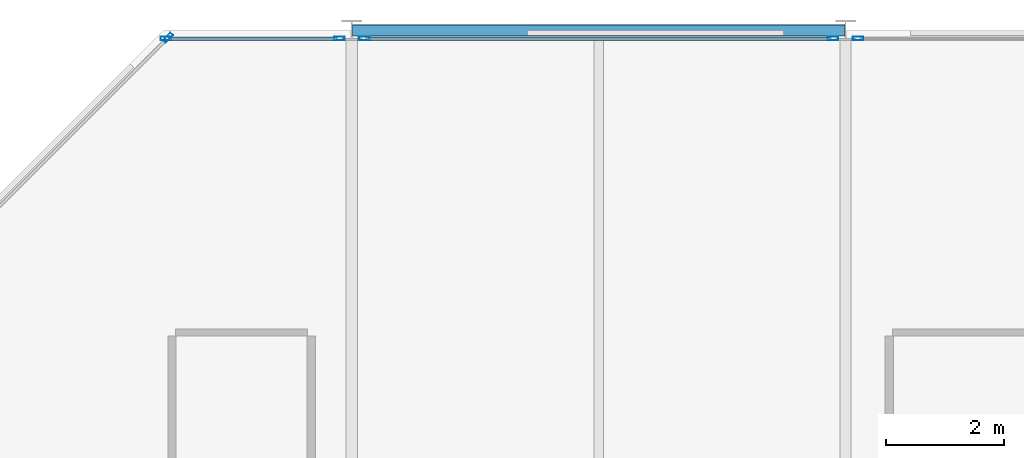
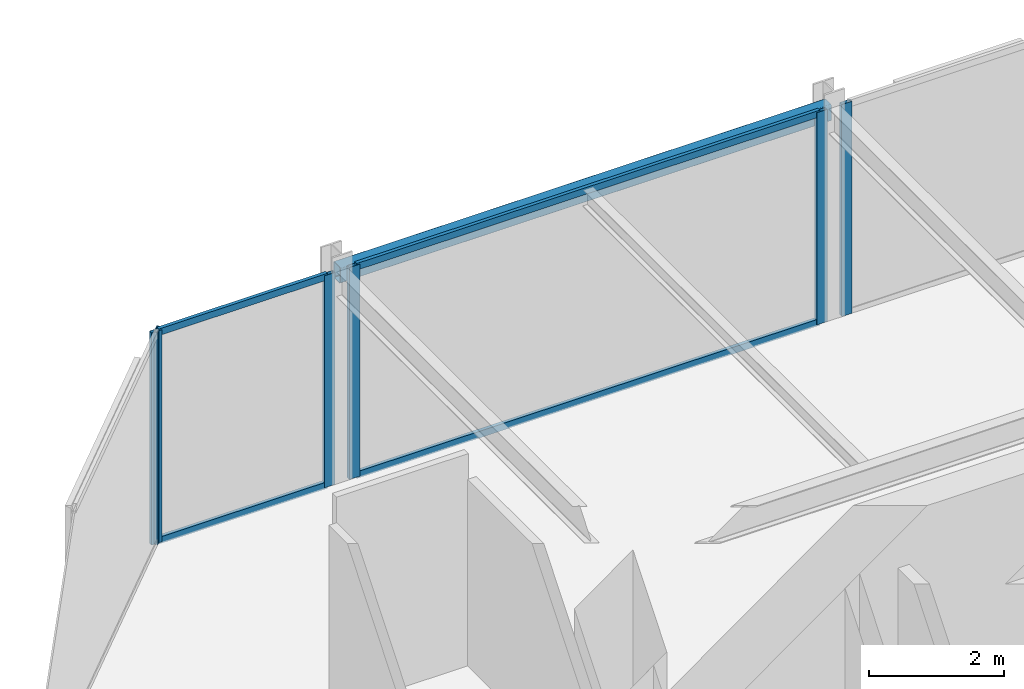
# One storey, part 20 of 29: 10 members, 1 beam, 4 elements without a shape of their own.
"""IFC4 building model written with IfcOpenShell, lengths in metres."""

from ifc_helpers import new_model, si_unit, direction, frame, origin, origin_2d, place, context, subcontext, project, spatial, hollow_rectangle, extrude, material, layer, layer_set, material_profile, profile_set, type_object, element, aggregate, save


model = new_model("IFC4")

# Units and contexts
model_context = context("Model", 3, precision=1e-05, world=origin(), true_north=direction((0.0, 1.0)))
body_context = subcontext(model_context, "Body", "Model", "MODEL_VIEW")
ifc_project = project(units=[si_unit("LENGTHUNIT", "METRE"), si_unit("AREAUNIT", "SQUARE_METRE"), si_unit("VOLUMEUNIT", "CUBIC_METRE"), si_unit("PLANEANGLEUNIT", "RADIAN"), si_unit("MASSUNIT", "GRAM", prefix="KILO")], contexts=[model_context])

# Site, building, storey
site_placement = place(None, origin())
site = spatial("IfcSite", under=ifc_project, at=site_placement, CompositionType="ELEMENT")
building_placement = place(site_placement, origin())
building = spatial("IfcBuilding", under=site, at=building_placement, Name="Nerrivon Quay Data Exchange", CompositionType="ELEMENT")
storey_placement = place(building_placement, frame((0.0, 0.0, 196.0)))
storey = spatial("IfcBuildingStorey", under=building, at=storey_placement, Name="L46", CompositionType="ELEMENT", Elevation=196.0)

# Beam
ifc_material_1 = material(Name="Steel Grade C350L0 (350 MPa)", Category="steel")
ifc_material_profile_1 = material_profile(ifc_material_1, hollow_rectangle(XDim=0.199951171875, YDim=0.300048828125, WallThickness=0.012451171875, InnerFilletRadius=0.018798828125, OuterFilletRadius=0.03125, at=origin_2d()), Name="300x200x12.5RHS")
ifc_profile_set_1 = profile_set([ifc_material_profile_1], Name="Steel Grade C350L0 (350 MPa)")
beam_type = type_object("IfcBeamType", Name="BM-SP3-300x200RHS", PredefinedType="SPANDREL", material=ifc_profile_set_1)
beam_placement = place(storey_placement, frame((8.409912109375, 50.39990234375, 3.675048828125), z_axis=(1.0, 0.0, 0.0), x_axis=(0.0, 1.0, 0.0)))
element("IfcBeam", 1, at=beam_placement, inside=storey, type_object=beam_type, Name="L46 EW Girder Y=50.4 (8.4..16.8)", PredefinedType="SPANDREL", context=body_context, shape_type="SweptSolid", body=[
    extrude(hollow_rectangle(XDim=0.199951171875, YDim=0.300048828125, WallThickness=0.012451171875, InnerFilletRadius=0.018798828125, OuterFilletRadius=0.03125, at=origin_2d()), origin(), (0.0, 0.0, 1.0), 8.380126953125),
])

# Curtain wall, member
ifc_material_2 = material(Name="Anodised aluminium 6063-T6", Category="aluminium")
ifc_layer = layer(ifc_material_2, 0.195068359375)
ifc_layer_set = layer_set([ifc_layer], Name="Anodised aluminium 6063-T6")
curtain_wall_type = type_object("IfcCurtainWallType", Name="CW-SYS-06", PredefinedType="NOTDEFINED", material=ifc_layer_set)
curtain_wall_1_placement = place(storey_placement, origin())
curtain_wall_1 = element("IfcCurtainWall", 2, at=curtain_wall_1_placement, inside=storey, type_object=curtain_wall_type, Name="L46 Unitised Curtain Wall 7", PredefinedType="NOTDEFINED")
ifc_material_profile_2 = material_profile(ifc_material_2, hollow_rectangle(XDim=0.06494140625, YDim=0.179931640625, WallThickness=0.00341796875, at=origin_2d()), Name="ALU-MULL-180x65")
ifc_profile_set_2 = profile_set([ifc_material_profile_2], Name="Anodised aluminium 6063-T6")
member_type_1 = type_object("IfcMemberType", Name="CWM-180x65", PredefinedType="MULLION", material=ifc_profile_set_2)
member_1_placement = place(storey_placement, frame((5.2724609375, 50.2744140625, 0.0), z_axis=(0.0, 0.0, 1.0), x_axis=(-0.707106781187, 0.707106781187, 0.0)))
member_1 = element("IfcMember", 3, at=member_1_placement, type_object=member_type_1, Name="CW06 mullion 2", PredefinedType="MULLION", context=body_context, shape_type="SweptSolid", body=[
    extrude(hollow_rectangle(XDim=0.06494140625, YDim=0.179931640625, WallThickness=0.00341796875, at=origin_2d()), origin(), (0.0, 0.0, 1.0), 3.824951171875),
])
aggregate(curtain_wall_1, [member_1])

# Curtain wall, members
curtain_wall_2_placement = place(storey_placement, origin())
curtain_wall_2 = element("IfcCurtainWall", 4, at=curtain_wall_2_placement, inside=storey, type_object=curtain_wall_type, Name="L46 Unitised Curtain Wall 8", PredefinedType="NOTDEFINED")
member_2_placement = place(storey_placement, frame((5.237548828125, 50.260009765625, 0.0), z_axis=(0.0, 0.0, 1.0), x_axis=(0.0, 1.0, 0.0)))
member_2 = element("IfcMember", 5, at=member_2_placement, type_object=member_type_1, Name="CW06 mullion 1", PredefinedType="MULLION", context=body_context, shape_type="SweptSolid", body=[
    extrude(hollow_rectangle(XDim=0.06494140625, YDim=0.179931640625, WallThickness=0.00341796875, at=origin_2d()), origin(), (0.0, 0.0, 1.0), 3.824951171875),
])
member_3_placement = place(storey_placement, frame((8.1875, 50.260009765625, 0.0), z_axis=(0.0, 0.0, 1.0), x_axis=(0.0, 1.0, 0.0)))
member_3 = element("IfcMember", 6, at=member_3_placement, type_object=member_type_1, Name="CW06 mullion 2", PredefinedType="MULLION", context=body_context, shape_type="SweptSolid", body=[
    extrude(hollow_rectangle(XDim=0.06494140625, YDim=0.179931640625, WallThickness=0.00341796875, at=origin_2d()), origin(), (0.0, 0.0, 1.0), 3.824951171875),
])

curtain_wall_3_placement = place(storey_placement, origin())
curtain_wall_3 = element("IfcCurtainWall", 7, at=curtain_wall_3_placement, inside=storey, type_object=curtain_wall_type, Name="L46 Unitised Curtain Wall 9", PredefinedType="NOTDEFINED")
member_4_placement = place(storey_placement, frame((8.612548828125, 50.260009765625, 0.0), z_axis=(0.0, 0.0, 1.0), x_axis=(0.0, 1.0, 0.0)))
member_4 = element("IfcMember", 8, at=member_4_placement, type_object=member_type_1, Name="CW06 mullion 1", PredefinedType="MULLION", context=body_context, shape_type="SweptSolid", body=[
    extrude(hollow_rectangle(XDim=0.06494140625, YDim=0.179931640625, WallThickness=0.00341796875, at=origin_2d()), origin(), (0.0, 0.0, 1.0), 3.824951171875),
])
member_5_placement = place(storey_placement, frame((16.58740234375, 50.260009765625, 0.0), z_axis=(0.0, 0.0, 1.0), x_axis=(0.0, 1.0, 0.0)))
member_5 = element("IfcMember", 9, at=member_5_placement, type_object=member_type_1, Name="CW06 mullion 2", PredefinedType="MULLION", context=body_context, shape_type="SweptSolid", body=[
    extrude(hollow_rectangle(XDim=0.06494140625, YDim=0.179931640625, WallThickness=0.00341796875, at=origin_2d()), origin(), (0.0, 0.0, 1.0), 3.824951171875),
])

# Curtain wall, member
curtain_wall_4_placement = place(storey_placement, origin())
curtain_wall_4 = element("IfcCurtainWall", 10, at=curtain_wall_4_placement, inside=storey, type_object=curtain_wall_type, Name="L46 Unitised Curtain Wall 10", PredefinedType="NOTDEFINED")
member_6_placement = place(storey_placement, frame((17.012451171875, 50.260009765625, 0.0), z_axis=(0.0, 0.0, 1.0), x_axis=(0.0, 1.0, 0.0)))
member_6 = element("IfcMember", 11, at=member_6_placement, type_object=member_type_1, Name="CW06 mullion 1", PredefinedType="MULLION", context=body_context, shape_type="SweptSolid", body=[
    extrude(hollow_rectangle(XDim=0.06494140625, YDim=0.179931640625, WallThickness=0.00341796875, at=origin_2d()), origin(), (0.0, 0.0, 1.0), 3.824951171875),
])
aggregate(curtain_wall_4, [member_6])

# Member
ifc_material_profile_3 = material_profile(ifc_material_2, hollow_rectangle(XDim=0.06005859375, YDim=0.1201171875, WallThickness=0.003173828125, at=origin_2d()), Name="ALU-TRAN-120x60")
ifc_profile_set_3 = profile_set([ifc_material_profile_3], Name="Anodised aluminium 6063-T6")
member_type_2 = type_object("IfcMemberType", Name="CWT-120x60", PredefinedType="USERDEFINED", material=ifc_profile_set_3)
member_7_placement = place(storey_placement, frame((5.27490234375, 50.260009765625, 0.032470703125), z_axis=(1.0, 0.0, 0.0), x_axis=(0.0, 1.0, 0.0)))
member_7 = element("IfcMember", 12, at=member_7_placement, type_object=member_type_2, Name="CW06 transom 1.1", ObjectType="TRANSOM", PredefinedType="USERDEFINED", context=body_context, shape_type="SweptSolid", body=[
    extrude(hollow_rectangle(XDim=0.06005859375, YDim=0.1201171875, WallThickness=0.003173828125, at=origin_2d()), origin(), (0.0, 0.0, 1.0), 2.875),
])

member_8_placement = place(storey_placement, frame((5.27490234375, 50.260009765625, 3.79248046875), z_axis=(1.0, 0.0, 0.0), x_axis=(0.0, 1.0, 0.0)))
member_8 = element("IfcMember", 13, at=member_8_placement, type_object=member_type_2, Name="CW06 transom 1.2", ObjectType="TRANSOM", PredefinedType="USERDEFINED", context=body_context, shape_type="SweptSolid", body=[
    extrude(hollow_rectangle(XDim=0.06005859375, YDim=0.1201171875, WallThickness=0.003173828125, at=origin_2d()), origin(), (0.0, 0.0, 1.0), 2.875),
])

aggregate(curtain_wall_2, [member_2, member_3, member_7, member_8])

member_9_placement = place(storey_placement, frame((8.64990234375, 50.260009765625, 0.032470703125), z_axis=(1.0, 0.0, 0.0), x_axis=(0.0, 1.0, 0.0)))
member_9 = element("IfcMember", 14, at=member_9_placement, type_object=member_type_2, Name="CW06 transom 1.1", ObjectType="TRANSOM", PredefinedType="USERDEFINED", context=body_context, shape_type="SweptSolid", body=[
    extrude(hollow_rectangle(XDim=0.06005859375, YDim=0.1201171875, WallThickness=0.003173828125, at=origin_2d()), origin(), (0.0, 0.0, 1.0), 7.900146484375),
])

member_10_placement = place(storey_placement, frame((8.64990234375, 50.260009765625, 3.79248046875), z_axis=(1.0, 0.0, 0.0), x_axis=(0.0, 1.0, 0.0)))
member_10 = element("IfcMember", 15, at=member_10_placement, type_object=member_type_2, Name="CW06 transom 1.2", ObjectType="TRANSOM", PredefinedType="USERDEFINED", context=body_context, shape_type="SweptSolid", body=[
    extrude(hollow_rectangle(XDim=0.06005859375, YDim=0.1201171875, WallThickness=0.003173828125, at=origin_2d()), origin(), (0.0, 0.0, 1.0), 7.900146484375),
])

aggregate(curtain_wall_3, [member_4, member_5, member_9, member_10])

save(model, "model.ifc")
